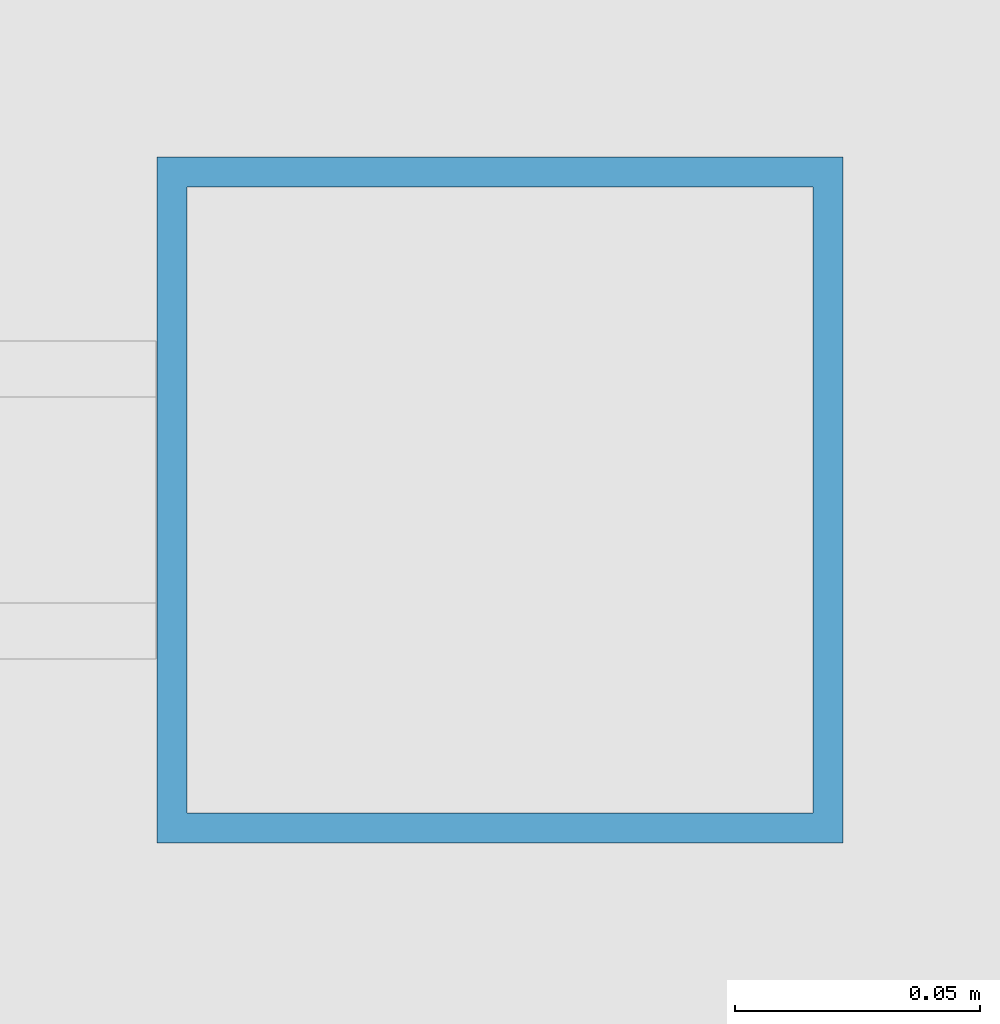
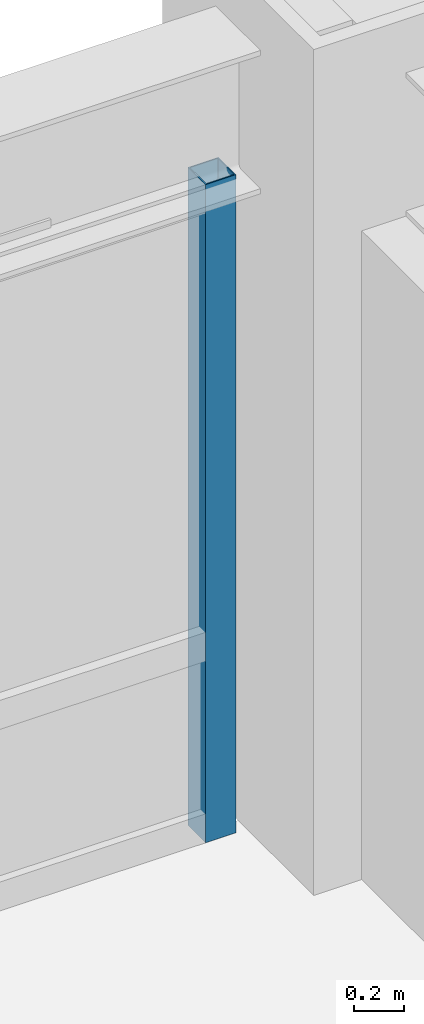
# One storey, part 21 of 32: 1 member, 1 element without a shape of its own.
"""IFC4 building model written with IfcOpenShell, lengths in metres."""

from ifc_helpers import new_model, si_unit, direction, frame, origin, origin_2d, place, context, subcontext, project, spatial, hollow_rectangle, extrude, source, transform, mapped, material, material_profile, profile_set, type_object, element, aggregate, save


model = new_model("IFC4")

# Units and contexts
model_context = context("Model", 3, precision=1e-05, world=origin(), true_north=direction((0.0, 1.0)))
body_context = subcontext(model_context, "Body", "Model", "MODEL_VIEW")
ifc_project = project(units=[si_unit("LENGTHUNIT", "METRE"), si_unit("AREAUNIT", "SQUARE_METRE"), si_unit("VOLUMEUNIT", "CUBIC_METRE"), si_unit("PLANEANGLEUNIT", "RADIAN"), si_unit("MASSUNIT", "GRAM", prefix="KILO")], contexts=[model_context])

# Site, building, storey
site_placement = place(None, origin())
site = spatial("IfcSite", under=ifc_project, at=site_placement, CompositionType="ELEMENT")
building_placement = place(site_placement, origin())
building = spatial("IfcBuilding", under=site, at=building_placement, Name="Khorayat Bourse Tower", CompositionType="ELEMENT")
storey_placement = place(building_placement, frame((0.0, 0.0, 91.39990234375)))
storey = spatial("IfcBuildingStorey", under=building, at=storey_placement, Name="L20", CompositionType="ELEMENT", Elevation=91.39990234375)

# Curtain wall, member
ifc_material = material(Name="Aluminium EN AW-6063 T6", Category="aluminium")
curtain_wall_type = type_object("IfcCurtainWallType", Name="CW-SYS-02", PredefinedType="NOTDEFINED", material=ifc_material)
curtain_wall_placement = place(storey_placement, origin())
curtain_wall = element("IfcCurtainWall", 1, at=curtain_wall_placement, inside=storey, type_object=curtain_wall_type, Name="L20 Curtain Wall CW-L20-N1", PredefinedType="NOTDEFINED")
ifc_material_profile = material_profile(ifc_material, hollow_rectangle(XDim=0.139892578125, YDim=0.139892578125, WallThickness=0.006103515625, at=origin_2d()), Name="ALU 140x140x6")
ifc_profile_set = profile_set([ifc_material_profile], Name="Aluminium EN AW-6063 T6")
member_type = type_object("IfcMemberType", Name="CWM-VERT-140", PredefinedType="MULLION", material=ifc_profile_set)
shared_shape = source(origin(), body_context, "Body", "SweptSolid", [
    extrude(hollow_rectangle(XDim=0.139892578125, YDim=0.139892578125, WallThickness=0.006103515625, at=origin_2d()), origin(), (0.0, 0.0, 1.0), 3.190185546875),
])
member_placement = place(storey_placement, frame((27.280029296875, 32.0, 0.0), z_axis=(0.0, 0.0, 1.0), x_axis=(0.0, 1.0, 0.0)))
member = element("IfcMember", 2, at=member_placement, type_object=member_type, Name="CW-L20-N1 Vertical Mullion 3", PredefinedType="MULLION", context=body_context, shape_type="MappedRepresentation", body=[
    mapped(shared_shape, transform((0.0, 0.0, 0.0), scale=1.0)),
])
aggregate(curtain_wall, [member])

save(model, "model.ifc")
